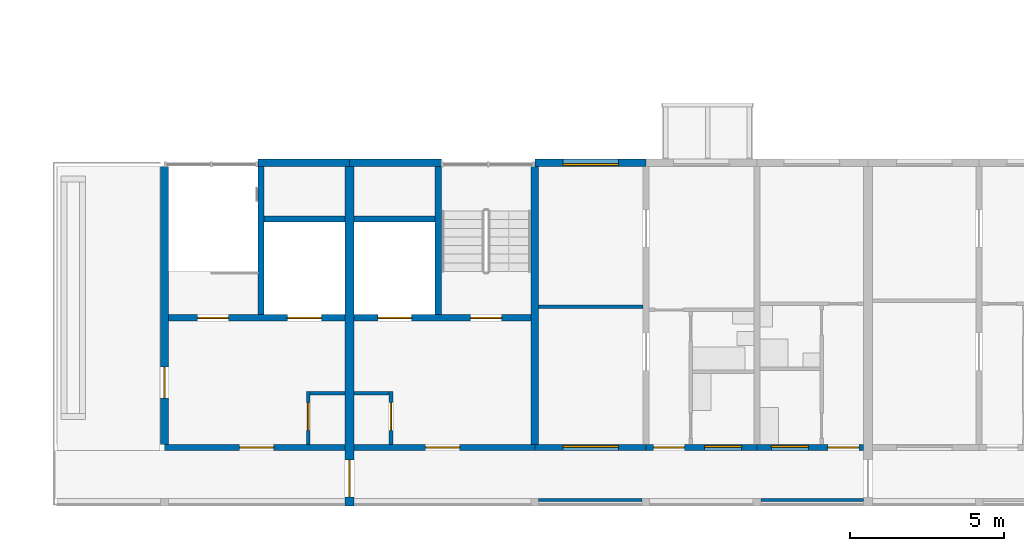
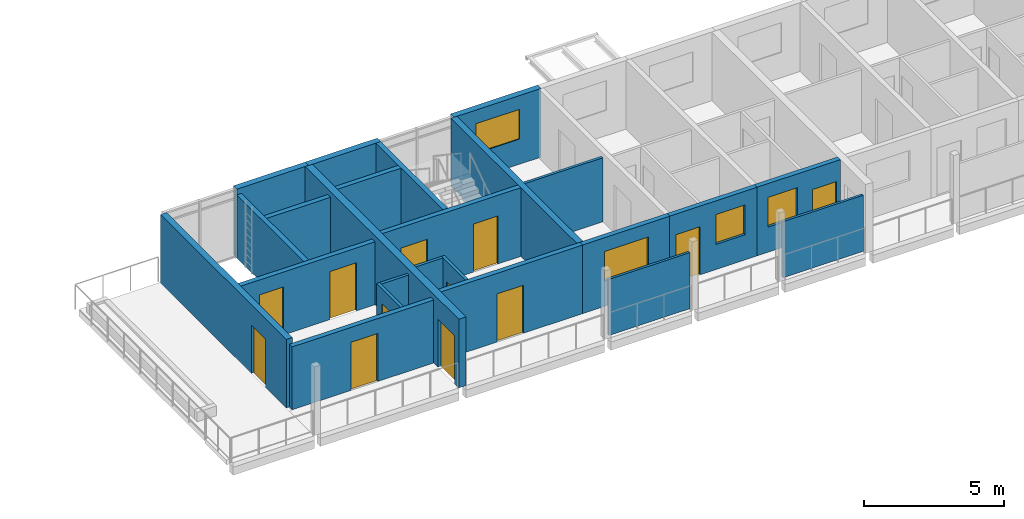
# One storey, part 32 of 64: 24 walls, 12 doors, 4 windows, 16 openings.
"""IFC4 building model written with IfcOpenShell, lengths in metres."""

from ifc_helpers import new_model, si_unit, direction, frame, frame_2d, origin, place, context, subcontext, project, spatial, rectangle, extrude, material, layer, layer_set, type_object, element, fill, save


model = new_model("IFC4")

# Units and contexts
model_context = context("Model", 3, precision=1e-05, world=origin(), true_north=direction((0.0, 1.0)))
body_context = subcontext(model_context, "Body", "Model", "MODEL_VIEW")
ifc_project = project(units=[si_unit("LENGTHUNIT", "METRE"), si_unit("AREAUNIT", "SQUARE_METRE"), si_unit("VOLUMEUNIT", "CUBIC_METRE"), si_unit("PLANEANGLEUNIT", "RADIAN"), si_unit("MASSUNIT", "GRAM", prefix="KILO")], contexts=[model_context])

# Site, building, storey
site_placement = place(None, origin())
site = spatial("IfcSite", under=ifc_project, at=site_placement, CompositionType="ELEMENT")
building_placement = place(site_placement, origin())
building = spatial("IfcBuilding", under=site, at=building_placement, Name="Ridgestep Commons", CompositionType="ELEMENT")
storey_placement = place(building_placement, frame((0.0, 0.0, 33.0)))
storey = spatial("IfcBuildingStorey", under=building, at=storey_placement, Name="L11", CompositionType="ELEMENT", Elevation=33.0)

# Wall
ifc_material_1 = material(Name="Concrete C30/37", Category="concrete")
ifc_layer_1 = layer(ifc_material_1, 0.25)
ifc_layer_set_1 = layer_set([ifc_layer_1], Name="Core cross wall 250")
wall_type_1 = type_object("IfcWallType", Name="Core cross wall 250", PredefinedType="SHEAR", material=ifc_layer_set_1)
wall_1_placement = place(storey_placement, frame((169.60009765625, 13.75, 0.0), z_axis=(0.0, 0.0, 1.0), x_axis=(0.0, 1.0, 0.0)))
element("IfcWall", 1, at=wall_1_placement, inside=storey, type_object=wall_type_1, Name="Cross wall D-11-1696", PredefinedType="SHEAR", context=body_context, shape_type="SweptSolid", body=[
    extrude(rectangle(XDim=9.0, YDim=0.25, at=frame_2d((4.5, 0.0))), origin(), (0.0, 0.0, 1.0), 3.0),
])

# Wall, opening, door
ifc_material_2 = material(Name="Concrete C30/37", Category="concrete")
ifc_layer_2 = layer(ifc_material_2, 0.199951171875)
ifc_layer_set_2 = layer_set([ifc_layer_2], Name="Core south wall 200")
wall_type_2 = type_object("IfcWallType", Name="Core south wall 200", PredefinedType="SHEAR", material=ifc_layer_set_2)
wall_2_placement = place(storey_placement, frame((157.60009765625, 13.64990234375, 0.0), z_axis=(0.0, 0.0, 1.0), x_axis=(1.0, 0.0, 0.0)))
wall_2 = element("IfcWall", 2, at=wall_2_placement, inside=storey, type_object=wall_type_2, Name="Core south wall D1C L11", PredefinedType="SHEAR", context=body_context, shape_type="SweptSolid", body=[
    extrude(rectangle(XDim=5.849853515625, YDim=0.199951171875, at=frame_2d((2.9248046875, 0.0))), origin(), (0.0, 0.0, 1.0), 2.75),
])
opening_1_placement = place(wall_2_placement, frame((2.4375, 0.0, 0.0)))
opening_1 = element("IfcOpeningElement", 3, at=opening_1_placement, cuts=wall_2, Name="Opening D1C/11/1", PredefinedType="OPENING", context=body_context, shape_type="SweptSolid", body=[
    extrude(rectangle(XDim=1.10009765625, YDim=2.10009765625, at=frame_2d((0.550048828125, 1.050048828125))), frame((0.0, 0.10986328125, 0.0), z_axis=(0.0, -1.0, 0.0), x_axis=(1.0, 0.0, 0.0)), (0.0, 0.0, 1.0), 0.219970703125),
])
ifc_material_3 = material(Name="Steel fire door", Category="steel")
door_type_1 = type_object("IfcDoorType", Name="Lobby door 1100 x 2100 FD60", OperationType="NOTDEFINED", PredefinedType="DOOR", material=ifc_material_3)
door_1_placement = place(opening_1_placement, origin())
door_1 = element("IfcDoor", 4, at=door_1_placement, inside=storey, type_object=door_type_1, Name="Lobby door D1C/11/1", OperationType="SINGLE_SWING_LEFT", OverallHeight=2.10009765625, OverallWidth=1.10009765625, PredefinedType="DOOR", context=body_context, shape_type="SweptSolid", body=[
    extrude(rectangle(XDim=1.10009765625, YDim=2.10009765625, at=frame_2d((0.550048828125, 1.050048828125))), frame((0.0, 0.02490234375, 0.0), z_axis=(0.0, -1.0, 0.0), x_axis=(1.0, 0.0, 0.0)), (0.0, 0.0, 1.0), 0.050048828125),
])
fill(opening_1, door_1)

wall_3_placement = place(storey_placement, frame((163.75, 13.64990234375, 0.0), z_axis=(0.0, 0.0, 1.0), x_axis=(1.0, 0.0, 0.0)))
wall_3 = element("IfcWall", 5, at=wall_3_placement, inside=storey, type_object=wall_type_2, Name="Core south wall D2C L11", PredefinedType="SHEAR", context=body_context, shape_type="SweptSolid", body=[
    extrude(rectangle(XDim=5.85009765625, YDim=0.199951171875, at=frame_2d((2.925048828125, 0.0))), origin(), (0.0, 0.0, 1.0), 3.0),
])
opening_2_placement = place(wall_3_placement, frame((2.3125, 0.0, 0.0)))
opening_2 = element("IfcOpeningElement", 6, at=opening_2_placement, cuts=wall_3, Name="Opening D2C/11/1", PredefinedType="OPENING", context=body_context, shape_type="SweptSolid", body=[
    extrude(rectangle(XDim=1.10009765625, YDim=2.10009765625, at=frame_2d((0.550048828125, 1.050048828125))), frame((0.0, 0.10986328125, 0.0), z_axis=(0.0, -1.0, 0.0), x_axis=(1.0, 0.0, 0.0)), (0.0, 0.0, 1.0), 0.219970703125),
])
door_2_placement = place(opening_2_placement, origin())
door_2 = element("IfcDoor", 7, at=door_2_placement, inside=storey, type_object=door_type_1, Name="Lobby door D2C/11/1", OperationType="SINGLE_SWING_LEFT", OverallHeight=2.10009765625, OverallWidth=1.10009765625, PredefinedType="DOOR", context=body_context, shape_type="SweptSolid", body=[
    extrude(rectangle(XDim=1.10009765625, YDim=2.10009765625, at=frame_2d((0.550048828125, 1.050048828125))), frame((0.0, 0.02490234375, 0.0), z_axis=(0.0, -1.0, 0.0), x_axis=(1.0, 0.0, 0.0)), (0.0, 0.0, 1.0), 0.050048828125),
])
fill(opening_2, door_2)

ifc_material_4 = material(Name="Concrete C30/37", Category="concrete")
ifc_layer_3 = layer(ifc_material_4, 0.1201171875)
ifc_layer_set_3 = layer_set([ifc_layer_3], Name="Core wall 120")
wall_type_3 = type_object("IfcWallType", Name="Core wall 120", PredefinedType="SHEAR", material=ifc_layer_set_3)
wall_4_placement = place(storey_placement, frame((162.260009765625, 13.75, 0.0), z_axis=(0.0, 0.0, 1.0), x_axis=(0.0, 1.0, 0.0)))
wall_4 = element("IfcWall", 8, at=wall_4_placement, inside=storey, type_object=wall_type_3, Name="Core riser w wall D1C L11", PredefinedType="SHEAR", context=body_context, shape_type="SweptSolid", body=[
    extrude(rectangle(XDim=1.719970703125, YDim=0.1201171875, at=frame_2d((0.85986328125, 0.0))), origin(), (0.0, 0.0, 1.0), 2.75),
])
opening_3_placement = place(wall_4_placement, frame((0.449951171875, 0.0, 0.0)))
opening_3 = element("IfcOpeningElement", 9, at=opening_3_placement, cuts=wall_4, Name="Opening D1C/11/4", PredefinedType="OPENING", context=body_context, shape_type="SweptSolid", body=[
    extrude(rectangle(XDim=0.89990234375, YDim=2.10009765625, at=frame_2d((0.449951171875, 1.050048828125))), frame((0.0, 0.070068359375, 0.0), z_axis=(0.0, -1.0, 0.0), x_axis=(1.0, 0.0, 0.0)), (0.0, 0.0, 1.0), 0.14013671875),
])
ifc_material_5 = material(Name="Steel fire door", Category="steel")
door_type_2 = type_object("IfcDoorType", Name="Riser door 900 x 2100 FD60", OperationType="NOTDEFINED", PredefinedType="DOOR", material=ifc_material_5)
door_3_placement = place(opening_3_placement, origin())
door_3 = element("IfcDoor", 10, at=door_3_placement, inside=storey, type_object=door_type_2, Name="Riser door D1C/11/4", OperationType="SINGLE_SWING_LEFT", OverallHeight=2.10009765625, OverallWidth=0.89990234375, PredefinedType="DOOR", context=body_context, shape_type="SweptSolid", body=[
    extrude(rectangle(XDim=0.89990234375, YDim=2.10009765625, at=frame_2d((0.449951171875, 1.050048828125))), frame((0.0, 0.02490234375, 0.0), z_axis=(0.0, -1.0, 0.0), x_axis=(1.0, 0.0, 0.0)), (0.0, 0.0, 1.0), 0.050048828125),
])
fill(opening_3, door_3)

# Wall
wall_5_placement = place(storey_placement, frame((162.320068359375, 15.409912109375, 0.0), z_axis=(0.0, 0.0, 1.0), x_axis=(1.0, 0.0, 0.0)))
element("IfcWall", 11, at=wall_5_placement, inside=storey, type_object=wall_type_3, Name="Core riser n wall D1C L11", PredefinedType="SHEAR", context=body_context, shape_type="SweptSolid", body=[
    extrude(rectangle(XDim=1.1298828125, YDim=0.1201171875, at=frame_2d((0.56494140625, 0.0))), origin(), (0.0, 0.0, 1.0), 2.75),
])

# Wall, opening, door
wall_6_placement = place(storey_placement, frame((164.93994140625, 13.75, 0.0), z_axis=(0.0, 0.0, 1.0), x_axis=(0.0, 1.0, 0.0)))
wall_6 = element("IfcWall", 12, at=wall_6_placement, inside=storey, type_object=wall_type_3, Name="Core riser w wall D2C L11", PredefinedType="SHEAR", context=body_context, shape_type="SweptSolid", body=[
    extrude(rectangle(XDim=1.719970703125, YDim=0.1201171875, at=frame_2d((0.85986328125, 0.0))), origin(), (0.0, 0.0, 1.0), 3.0),
])
opening_4_placement = place(wall_6_placement, frame((0.449951171875, 0.0, 0.0)))
opening_4 = element("IfcOpeningElement", 13, at=opening_4_placement, cuts=wall_6, Name="Opening D2C/11/4", PredefinedType="OPENING", context=body_context, shape_type="SweptSolid", body=[
    extrude(rectangle(XDim=0.89990234375, YDim=2.10009765625, at=frame_2d((0.449951171875, 1.050048828125))), frame((0.0, 0.070068359375, 0.0), z_axis=(0.0, -1.0, 0.0), x_axis=(1.0, 0.0, 0.0)), (0.0, 0.0, 1.0), 0.14013671875),
])
door_4_placement = place(opening_4_placement, origin())
door_4 = element("IfcDoor", 14, at=door_4_placement, inside=storey, type_object=door_type_2, Name="Riser door D2C/11/4", OperationType="SINGLE_SWING_RIGHT", OverallHeight=2.10009765625, OverallWidth=0.89990234375, PredefinedType="DOOR", context=body_context, shape_type="SweptSolid", body=[
    extrude(rectangle(XDim=0.89990234375, YDim=2.10009765625, at=frame_2d((0.449951171875, 1.050048828125))), frame((0.0, 0.02490234375, 0.0), z_axis=(0.0, -1.0, 0.0), x_axis=(1.0, 0.0, 0.0)), (0.0, 0.0, 1.0), 0.050048828125),
])
fill(opening_4, door_4)

# Wall
wall_7_placement = place(storey_placement, frame((163.75, 15.409912109375, 0.0), z_axis=(0.0, 0.0, 1.0), x_axis=(1.0, 0.0, 0.0)))
element("IfcWall", 15, at=wall_7_placement, inside=storey, type_object=wall_type_3, Name="Core riser n wall D2C L11", PredefinedType="SHEAR", context=body_context, shape_type="SweptSolid", body=[
    extrude(rectangle(XDim=1.1298828125, YDim=0.1201171875, at=frame_2d((0.56494140625, 0.0))), origin(), (0.0, 0.0, 1.0), 3.0),
])

# Wall, openings, doors
ifc_material_6 = material(Name="Concrete C30/37", Category="concrete")
ifc_layer_4 = layer(ifc_material_6, 0.199951171875)
ifc_layer_set_4 = layer_set([ifc_layer_4], Name="Core wall 200")
wall_type_4 = type_object("IfcWallType", Name="Core wall 200", PredefinedType="SHEAR", material=ifc_layer_set_4)
wall_8_placement = place(storey_placement, frame((157.72509765625, 17.85009765625, 0.0), z_axis=(0.0, 0.0, 1.0), x_axis=(1.0, 0.0, 0.0)))
wall_8 = element("IfcWall", 16, at=wall_8_placement, inside=storey, type_object=wall_type_4, Name="Core lobby wall D1C L11", PredefinedType="SHEAR", context=body_context, shape_type="SweptSolid", body=[
    extrude(rectangle(XDim=5.724853515625, YDim=0.199951171875, at=frame_2d((2.8623046875, 0.0))), origin(), (0.0, 0.0, 1.0), 2.75),
])
opening_5_placement = place(wall_8_placement, frame((0.949951171875, 0.0, 0.0)))
opening_5 = element("IfcOpeningElement", 17, at=opening_5_placement, cuts=wall_8, Name="Opening D1C/11/2", PredefinedType="OPENING", context=body_context, shape_type="SweptSolid", body=[
    extrude(rectangle(XDim=1.0, YDim=2.10009765625, at=frame_2d((0.5, 1.050048828125))), frame((0.0, 0.10986328125, 0.0), z_axis=(0.0, -1.0, 0.0), x_axis=(1.0, 0.0, 0.0)), (0.0, 0.0, 1.0), 0.219970703125),
])
opening_6_placement = place(wall_8_placement, frame((3.862548828125, 0.0, 0.0)))
opening_6 = element("IfcOpeningElement", 18, at=opening_6_placement, cuts=wall_8, Name="Opening D1C/11/3", PredefinedType="OPENING", context=body_context, shape_type="SweptSolid", body=[
    extrude(rectangle(XDim=1.10009765625, YDim=2.10009765625, at=frame_2d((0.550048828125, 1.050048828125))), frame((0.0, 0.10986328125, 0.0), z_axis=(0.0, -1.0, 0.0), x_axis=(1.0, 0.0, 0.0)), (0.0, 0.0, 1.0), 0.219970703125),
])
ifc_material_7 = material(Name="Stainless steel", Category="steel")
door_type_3 = type_object("IfcDoorType", Name="Lift landing door 1100 x 2100 FD60", OperationType="DOUBLE_DOOR_SLIDING", PredefinedType="DOOR", material=ifc_material_7)
door_5_placement = place(opening_6_placement, origin())
door_5 = element("IfcDoor", 19, at=door_5_placement, inside=storey, type_object=door_type_3, Name="Landing door LD D1C L11", OperationType="DOUBLE_DOOR_SLIDING", OverallHeight=2.10009765625, OverallWidth=1.10009765625, PredefinedType="DOOR", context=body_context, shape_type="SweptSolid", body=[
    extrude(rectangle(XDim=1.10009765625, YDim=2.10009765625, at=frame_2d((0.550048828125, 1.050048828125))), frame((0.0, 0.02490234375, 0.0), z_axis=(0.0, -1.0, 0.0), x_axis=(1.0, 0.0, 0.0)), (0.0, 0.0, 1.0), 0.050048828125),
])
fill(opening_6, door_5)
ifc_material_8 = material(Name="Steel fire door", Category="steel")
door_type_4 = type_object("IfcDoorType", Name="Stair door 1000 x 2100 FD60", OperationType="NOTDEFINED", PredefinedType="DOOR", material=ifc_material_8)
door_6_placement = place(opening_5_placement, origin())
door_6 = element("IfcDoor", 20, at=door_6_placement, inside=storey, type_object=door_type_4, Name="Stair door D1C/11/2", OperationType="SINGLE_SWING_RIGHT", OverallHeight=2.10009765625, OverallWidth=1.0, PredefinedType="DOOR", context=body_context, shape_type="SweptSolid", body=[
    extrude(rectangle(XDim=1.0, YDim=2.10009765625, at=frame_2d((0.5, 1.050048828125))), frame((0.0, 0.02490234375, 0.0), z_axis=(0.0, -1.0, 0.0), x_axis=(1.0, 0.0, 0.0)), (0.0, 0.0, 1.0), 0.050048828125),
])
fill(opening_5, door_6)

# Walls
wall_9_placement = place(storey_placement, frame((160.72509765625, 17.949951171875, 0.0), z_axis=(0.0, 0.0, 1.0), x_axis=(0.0, 1.0, 0.0)))
element("IfcWall", 21, at=wall_9_placement, inside=storey, type_object=wall_type_4, Name="Core stair wall D1C L11", PredefinedType="SHEAR", context=body_context, shape_type="SweptSolid", body=[
    extrude(rectangle(XDim=4.800048828125, YDim=0.199951171875, at=frame_2d((2.39990234375, 0.0))), origin(), (0.0, 0.0, 1.0), 2.75),
])
wall_10_placement = place(storey_placement, frame((160.824951171875, 21.050048828125, 0.0), z_axis=(0.0, 0.0, 1.0), x_axis=(1.0, 0.0, 0.0)))
element("IfcWall", 22, at=wall_10_placement, inside=storey, type_object=wall_type_4, Name="Core duct wall D1C L11", PredefinedType="SHEAR", context=body_context, shape_type="SweptSolid", body=[
    extrude(rectangle(XDim=2.625, YDim=0.199951171875, at=frame_2d((1.3125, 0.0))), origin(), (0.0, 0.0, 1.0), 2.75),
])

# Wall, openings, doors
wall_11_placement = place(storey_placement, frame((163.75, 17.85009765625, 0.0), z_axis=(0.0, 0.0, 1.0), x_axis=(1.0, 0.0, 0.0)))
wall_11 = element("IfcWall", 23, at=wall_11_placement, inside=storey, type_object=wall_type_4, Name="Core lobby wall D2C L11", PredefinedType="SHEAR", context=body_context, shape_type="SweptSolid", body=[
    extrude(rectangle(XDim=5.72509765625, YDim=0.199951171875, at=frame_2d((2.862548828125, 0.0))), origin(), (0.0, 0.0, 1.0), 3.0),
])
opening_7_placement = place(wall_11_placement, frame((3.77490234375, 0.0, 0.0)))
opening_7 = element("IfcOpeningElement", 24, at=opening_7_placement, cuts=wall_11, Name="Opening D2C/11/2", PredefinedType="OPENING", context=body_context, shape_type="SweptSolid", body=[
    extrude(rectangle(XDim=1.0, YDim=2.10009765625, at=frame_2d((0.5, 1.050048828125))), frame((0.0, 0.10986328125, 0.0), z_axis=(0.0, -1.0, 0.0), x_axis=(1.0, 0.0, 0.0)), (0.0, 0.0, 1.0), 0.219970703125),
])
opening_8_placement = place(wall_11_placement, frame((0.762451171875, 0.0, 0.0)))
opening_8 = element("IfcOpeningElement", 25, at=opening_8_placement, cuts=wall_11, Name="Opening D2C/11/3", PredefinedType="OPENING", context=body_context, shape_type="SweptSolid", body=[
    extrude(rectangle(XDim=1.10009765625, YDim=2.10009765625, at=frame_2d((0.550048828125, 1.050048828125))), frame((0.0, 0.10986328125, 0.0), z_axis=(0.0, -1.0, 0.0), x_axis=(1.0, 0.0, 0.0)), (0.0, 0.0, 1.0), 0.219970703125),
])
door_7_placement = place(opening_8_placement, origin())
door_7 = element("IfcDoor", 26, at=door_7_placement, inside=storey, type_object=door_type_3, Name="Landing door LD D2C L11", OperationType="DOUBLE_DOOR_SLIDING", OverallHeight=2.10009765625, OverallWidth=1.10009765625, PredefinedType="DOOR", context=body_context, shape_type="SweptSolid", body=[
    extrude(rectangle(XDim=1.10009765625, YDim=2.10009765625, at=frame_2d((0.550048828125, 1.050048828125))), frame((0.0, 0.02490234375, 0.0), z_axis=(0.0, -1.0, 0.0), x_axis=(1.0, 0.0, 0.0)), (0.0, 0.0, 1.0), 0.050048828125),
])
fill(opening_8, door_7)
door_8_placement = place(opening_7_placement, origin())
door_8 = element("IfcDoor", 27, at=door_8_placement, inside=storey, type_object=door_type_4, Name="Stair door D2C/11/2", OperationType="SINGLE_SWING_RIGHT", OverallHeight=2.10009765625, OverallWidth=1.0, PredefinedType="DOOR", context=body_context, shape_type="SweptSolid", body=[
    extrude(rectangle(XDim=1.0, YDim=2.10009765625, at=frame_2d((0.5, 1.050048828125))), frame((0.0, 0.02490234375, 0.0), z_axis=(0.0, -1.0, 0.0), x_axis=(1.0, 0.0, 0.0)), (0.0, 0.0, 1.0), 0.050048828125),
])
fill(opening_7, door_8)

# Walls
wall_12_placement = place(storey_placement, frame((166.47509765625, 17.949951171875, 0.0), z_axis=(0.0, 0.0, 1.0), x_axis=(0.0, 1.0, 0.0)))
element("IfcWall", 28, at=wall_12_placement, inside=storey, type_object=wall_type_4, Name="Core stair wall D2C L11", PredefinedType="SHEAR", context=body_context, shape_type="SweptSolid", body=[
    extrude(rectangle(XDim=4.800048828125, YDim=0.199951171875, at=frame_2d((2.39990234375, 0.0))), origin(), (0.0, 0.0, 1.0), 3.0),
])
wall_13_placement = place(storey_placement, frame((163.75, 21.050048828125, 0.0), z_axis=(0.0, 0.0, 1.0), x_axis=(1.0, 0.0, 0.0)))
element("IfcWall", 29, at=wall_13_placement, inside=storey, type_object=wall_type_4, Name="Core duct wall D2C L11", PredefinedType="SHEAR", context=body_context, shape_type="SweptSolid", body=[
    extrude(rectangle(XDim=2.625, YDim=0.199951171875, at=frame_2d((1.3125, 0.0))), origin(), (0.0, 0.0, 1.0), 3.0),
])

# Wall, opening, door
ifc_material_9 = material(Name="Precast concrete C40/50", Category="concrete")
ifc_layer_5 = layer(ifc_material_9, 0.300048828125)
ifc_layer_set_5 = layer_set([ifc_layer_5], Name="Division wall 300")
wall_type_5 = type_object("IfcWallType", Name="Division wall 300", PredefinedType="SHEAR", material=ifc_layer_set_5)
wall_14_placement = place(storey_placement, frame((163.60009765625, 11.75, 0.0), z_axis=(0.0, 0.0, 1.0), x_axis=(0.0, 1.0, 0.0)))
wall_14 = element("IfcWall", 30, at=wall_14_placement, inside=storey, type_object=wall_type_5, Name="Cross wall D-11-1636", PredefinedType="SHEAR", context=body_context, shape_type="SweptSolid", body=[
    extrude(rectangle(XDim=11.0, YDim=0.300048828125, at=frame_2d((5.5, 0.0))), origin(), (0.0, 0.0, 1.0), 3.0),
])
opening_9_placement = place(wall_14_placement, frame((0.300048828125, 0.0, 0.0)))
opening_9 = element("IfcOpeningElement", 31, at=opening_9_placement, cuts=wall_14, Name="Opening D/11/G1636", PredefinedType="OPENING", context=body_context, shape_type="SweptSolid", body=[
    extrude(rectangle(XDim=1.199951171875, YDim=2.10009765625, at=frame_2d((0.60009765625, 1.050048828125))), frame((0.0, 0.159912109375, 0.0), z_axis=(0.0, -1.0, 0.0), x_axis=(1.0, 0.0, 0.0)), (0.0, 0.0, 1.0), 0.320068359375),
])
ifc_material_10 = material(Name="Steel fire door", Category="steel")
door_type_5 = type_object("IfcDoorType", Name="Division fire door 1200 x 2100 EI 240", OperationType="DOUBLE_DOOR_SINGLE_SWING", PredefinedType="DOOR", material=ifc_material_10)
door_9_placement = place(opening_9_placement, origin())
door_9 = element("IfcDoor", 32, at=door_9_placement, inside=storey, type_object=door_type_5, Name="Division fire door D/11/G1636", OperationType="DOUBLE_DOOR_SINGLE_SWING", OverallHeight=2.10009765625, OverallWidth=1.199951171875, PredefinedType="DOOR", context=body_context, shape_type="SweptSolid", body=[
    extrude(rectangle(XDim=1.199951171875, YDim=2.10009765625, at=frame_2d((0.60009765625, 1.050048828125))), frame((0.0, 0.02490234375, 0.0), z_axis=(0.0, -1.0, 0.0), x_axis=(1.0, 0.0, 0.0)), (0.0, 0.0, 1.0), 0.050048828125),
])
fill(opening_9, door_9)

ifc_material_11 = material(Name="Concrete C30/37", Category="concrete")
ifc_layer_6 = layer(ifc_material_11, 0.25)
ifc_layer_set_6 = layer_set([ifc_layer_6], Name="Exposed core cross wall 250")
wall_type_6 = type_object("IfcWallType", Name="Exposed core cross wall 250", PredefinedType="SHEAR", material=ifc_layer_set_6)
wall_15_placement = place(storey_placement, frame((157.60009765625, 13.75, 0.0), z_axis=(0.0, 0.0, 1.0), x_axis=(0.0, 1.0, 0.0)))
wall_15 = element("IfcWall", 33, at=wall_15_placement, inside=storey, type_object=wall_type_6, Name="Cross wall D-11-1576", PredefinedType="SHEAR", context=body_context, shape_type="SweptSolid", body=[
    extrude(rectangle(XDim=9.0, YDim=0.25, at=frame_2d((4.5, 0.0))), origin(), (0.0, 0.0, 1.0), 3.0),
])
opening_10_placement = place(wall_15_placement, frame((1.5, 0.0, 0.0)))
opening_10 = element("IfcOpeningElement", 34, at=opening_10_placement, cuts=wall_15, Name="Opening D1C/11/T", PredefinedType="OPENING", context=body_context, shape_type="SweptSolid", body=[
    extrude(rectangle(XDim=1.0, YDim=2.10009765625, at=frame_2d((0.5, 1.050048828125))), frame((0.0, 0.135009765625, 0.0), z_axis=(0.0, -1.0, 0.0), x_axis=(1.0, 0.0, 0.0)), (0.0, 0.0, 1.0), 0.27001953125),
])
ifc_material_12 = material(Name="Aluminium and glass", Category="aluminium")
door_type_6 = type_object("IfcDoorType", Name="Terrace door 1000 x 2100 FD60", OperationType="NOTDEFINED", PredefinedType="DOOR", material=ifc_material_12)
door_10_placement = place(opening_10_placement, origin())
door_10 = element("IfcDoor", 35, at=door_10_placement, inside=storey, type_object=door_type_6, Name="Terrace door D1C/11/T", OperationType="SINGLE_SWING_LEFT", OverallHeight=2.10009765625, OverallWidth=1.0, PredefinedType="DOOR", context=body_context, shape_type="SweptSolid", body=[
    extrude(rectangle(XDim=1.0, YDim=2.10009765625, at=frame_2d((0.5, 1.050048828125))), frame((0.0, 0.02490234375, 0.0), z_axis=(0.0, -1.0, 0.0), x_axis=(1.0, 0.0, 0.0)), (0.0, 0.0, 1.0), 0.050048828125),
])
fill(opening_10, door_10)

# Walls
ifc_material_13 = material(Name="Precast concrete C40/50", Category="concrete")
ifc_layer_7 = layer(ifc_material_13, 0.25)
ifc_layer_set_7 = layer_set([ifc_layer_7], Name="North facade panel 250")
wall_type_7 = type_object("IfcWallType", Name="North facade panel 250", PredefinedType="SOLIDWALL", material=ifc_layer_set_7)
wall_16_placement = place(storey_placement, frame((160.625, 22.875, 0.0), z_axis=(0.0, 0.0, 1.0), x_axis=(1.0, 0.0, 0.0)))
element("IfcWall", 36, at=wall_16_placement, inside=storey, type_object=wall_type_7, Name="North panel D1C L11", PredefinedType="SOLIDWALL", context=body_context, shape_type="SweptSolid", body=[
    extrude(rectangle(XDim=2.97509765625, YDim=0.25, at=frame_2d((1.487548828125, 0.0))), origin(), (0.0, 0.0, 1.0), 3.0),
])
wall_17_placement = place(storey_placement, frame((163.60009765625, 22.875, 0.0), z_axis=(0.0, 0.0, 1.0), x_axis=(1.0, 0.0, 0.0)))
element("IfcWall", 37, at=wall_17_placement, inside=storey, type_object=wall_type_7, Name="North panel D2C L11", PredefinedType="SOLIDWALL", context=body_context, shape_type="SweptSolid", body=[
    extrude(rectangle(XDim=2.974853515625, YDim=0.25, at=frame_2d((1.4873046875, 0.0))), origin(), (0.0, 0.0, 1.0), 3.0),
])

# Wall, opening, window
wall_18_placement = place(storey_placement, frame((169.60009765625, 22.875, 0.0), z_axis=(0.0, 0.0, 1.0), x_axis=(1.0, 0.0, 0.0)))
wall_18 = element("IfcWall", 38, at=wall_18_placement, inside=storey, type_object=wall_type_7, Name="North panel D2T3 L11", PredefinedType="SOLIDWALL", context=body_context, shape_type="SweptSolid", body=[
    extrude(rectangle(XDim=3.599853515625, YDim=0.25, at=frame_2d((1.7998046875, 0.0))), origin(), (0.0, 0.0, 1.0), 3.0),
])
opening_11_placement = place(wall_18_placement, frame((0.91259765625, 0.0, 1.10009765625)))
opening_11 = element("IfcOpeningElement", 39, at=opening_11_placement, cuts=wall_18, Name="Opening W18", PredefinedType="OPENING", context=body_context, shape_type="SweptSolid", body=[
    extrude(rectangle(XDim=1.800048828125, YDim=1.300048828125, at=frame_2d((0.89990234375, 0.64990234375))), frame((0.0, 0.135009765625, 0.0), z_axis=(0.0, -1.0, 0.0), x_axis=(1.0, 0.0, 0.0)), (0.0, 0.0, 1.0), 0.27001953125),
])
ifc_material_14 = material(Name="Aluminium 6063-T6 and glass", Category="aluminium")
window_type_1 = type_object("IfcWindowType", Name="Flat window 1800 x 1300", PartitioningType="DOUBLE_PANEL_VERTICAL", PredefinedType="WINDOW", material=ifc_material_14)
window_1_placement = place(opening_11_placement, origin())
window_1 = element("IfcWindow", 40, at=window_1_placement, inside=storey, type_object=window_type_1, Name="Window D2-11b 2", OverallHeight=1.300048828125, OverallWidth=1.800048828125, PartitioningType="SINGLE_PANEL", PredefinedType="WINDOW", context=body_context, shape_type="SweptSolid", body=[
    extrude(rectangle(XDim=1.800048828125, YDim=1.300048828125, at=frame_2d((0.89990234375, 0.64990234375))), frame((0.0, -0.02490234375, 0.0), z_axis=(0.0, -1.0, 0.0), x_axis=(1.0, 0.0, 0.0)), (0.0, 0.0, 1.0), 0.06005859375),
])
fill(opening_11, window_1)

# Walls
ifc_material_15 = material(Name="Common brick 110 mm", Category="masonry")
ifc_layer_8 = layer(ifc_material_15, 0.110107421875)
ifc_layer_set_8 = layer_set([ifc_layer_8], Name="Partition 110")
wall_type_8 = type_object("IfcWallType", Name="Partition 110", PredefinedType="PARTITIONING", material=ifc_layer_set_8)
wall_19_placement = place(storey_placement, frame((169.72509765625, 18.205078125, 0.0), z_axis=(0.0, 0.0, 1.0), x_axis=(1.0, 0.0, 0.0)))
element("IfcWall", 41, at=wall_19_placement, inside=storey, type_object=wall_type_8, Name="Partition D2-11b", PredefinedType="PARTITIONING", context=body_context, shape_type="SweptSolid", body=[
    extrude(rectangle(XDim=3.375, YDim=0.110107421875, at=frame_2d((1.6875, 0.0))), origin(), (0.0, 0.0, 1.0), 2.800048828125),
])
ifc_material_16 = material(Name="Precast concrete C30/37", Category="concrete")
ifc_layer_9 = layer(ifc_material_16, 0.10009765625)
ifc_layer_set_9 = layer_set([ifc_layer_9], Name="Perforated gallery screen 3325 x 2450 x 100")
wall_type_9 = type_object("IfcWallType", Name="Perforated gallery screen 3325 x 2450 x 100", PredefinedType="SOLIDWALL", material=ifc_layer_set_9)
wall_20_placement = place(storey_placement, frame((176.925048828125, 11.949951171875, 0.0), z_axis=(0.0, 0.0, 1.0), x_axis=(1.0, 0.0, 0.0)))
element("IfcWall", 42, at=wall_20_placement, inside=storey, type_object=wall_type_9, Name="Gallery screen D2T1 11", PredefinedType="SOLIDWALL", context=body_context, shape_type="SweptSolid", body=[
    extrude(rectangle(XDim=3.324951171875, YDim=0.10009765625, at=frame_2d((1.66259765625, 0.0))), origin(), (0.0, 0.0, 1.0), 2.449951171875),
])
ifc_material_17 = material(Name="Precast concrete C30/37", Category="concrete")
ifc_layer_10 = layer(ifc_material_17, 0.10009765625)
ifc_layer_set_10 = layer_set([ifc_layer_10], Name="Perforated gallery screen 3350 x 2450 x 100")
wall_type_10 = type_object("IfcWallType", Name="Perforated gallery screen 3350 x 2450 x 100", PredefinedType="SOLIDWALL", material=ifc_layer_set_10)
wall_21_placement = place(storey_placement, frame((169.72509765625, 11.949951171875, 0.0), z_axis=(0.0, 0.0, 1.0), x_axis=(1.0, 0.0, 0.0)))
element("IfcWall", 43, at=wall_21_placement, inside=storey, type_object=wall_type_10, Name="Gallery screen D2T3 11", PredefinedType="SOLIDWALL", context=body_context, shape_type="SweptSolid", body=[
    extrude(rectangle(XDim=3.349853515625, YDim=0.10009765625, at=frame_2d((1.6748046875, 0.0))), origin(), (0.0, 0.0, 1.0), 2.449951171875),
])

# Wall, opening, window
ifc_material_18 = material(Name="Precast concrete C40/50", Category="concrete")
ifc_layer_11 = layer(ifc_material_18, 0.199951171875)
ifc_layer_set_11 = layer_set([ifc_layer_11], Name="South facade panel 200")
wall_type_11 = type_object("IfcWallType", Name="South facade panel 200", PredefinedType="SOLIDWALL", material=ifc_layer_set_11)
wall_22_placement = place(storey_placement, frame((169.60009765625, 13.64990234375, 0.0), z_axis=(0.0, 0.0, 1.0), x_axis=(1.0, 0.0, 0.0)))
wall_22 = element("IfcWall", 44, at=wall_22_placement, inside=storey, type_object=wall_type_11, Name="South panel D2T3 L11", PredefinedType="SOLIDWALL", context=body_context, shape_type="SweptSolid", body=[
    extrude(rectangle(XDim=3.599853515625, YDim=0.199951171875, at=frame_2d((1.7998046875, 0.0))), origin(), (0.0, 0.0, 1.0), 3.0),
])
opening_12_placement = place(wall_22_placement, frame((0.91259765625, 0.0, 1.10009765625)))
opening_12 = element("IfcOpeningElement", 45, at=opening_12_placement, cuts=wall_22, Name="Opening W18", PredefinedType="OPENING", context=body_context, shape_type="SweptSolid", body=[
    extrude(rectangle(XDim=1.800048828125, YDim=1.300048828125, at=frame_2d((0.89990234375, 0.64990234375))), frame((0.0, 0.10986328125, 0.0), z_axis=(0.0, -1.0, 0.0), x_axis=(1.0, 0.0, 0.0)), (0.0, 0.0, 1.0), 0.219970703125),
])
window_2_placement = place(opening_12_placement, origin())
window_2 = element("IfcWindow", 46, at=window_2_placement, inside=storey, type_object=window_type_1, Name="Window D2-11b 1", OverallHeight=1.300048828125, OverallWidth=1.800048828125, PartitioningType="SINGLE_PANEL", PredefinedType="WINDOW", context=body_context, shape_type="SweptSolid", body=[
    extrude(rectangle(XDim=1.800048828125, YDim=1.300048828125, at=frame_2d((0.89990234375, 0.64990234375))), frame((0.0, 0.06005859375, 0.0), z_axis=(0.0, -1.0, 0.0), x_axis=(1.0, 0.0, 0.0)), (0.0, 0.0, 1.0), 0.06005859375),
])
fill(opening_12, window_2)

# Wall, openings, door, window
wall_23_placement = place(storey_placement, frame((173.199951171875, 13.64990234375, 0.0), z_axis=(0.0, 0.0, 1.0), x_axis=(1.0, 0.0, 0.0)))
wall_23 = element("IfcWall", 47, at=wall_23_placement, inside=storey, type_object=wall_type_11, Name="South panel D2T2 L11", PredefinedType="SOLIDWALL", context=body_context, shape_type="SweptSolid", body=[
    extrude(rectangle(XDim=3.60009765625, YDim=0.199951171875, at=frame_2d((1.800048828125, 0.0))), origin(), (0.0, 0.0, 1.0), 3.0),
])
opening_13_placement = place(wall_23_placement, frame((1.905029296875, 0.0, 1.10009765625)))
opening_13 = element("IfcOpeningElement", 48, at=opening_13_placement, cuts=wall_23, Name="Opening W08", PredefinedType="OPENING", context=body_context, shape_type="SweptSolid", body=[
    extrude(rectangle(XDim=1.199951171875, YDim=1.300048828125, at=frame_2d((0.60009765625, 0.64990234375))), frame((0.0, 0.10986328125, 0.0), z_axis=(0.0, -1.0, 0.0), x_axis=(1.0, 0.0, 0.0)), (0.0, 0.0, 1.0), 0.219970703125),
])
opening_14_placement = place(wall_23_placement, frame((0.25, 0.0, 0.0)))
opening_14 = element("IfcOpeningElement", 49, at=opening_14_placement, cuts=wall_23, Name="Opening D2-11b/1", PredefinedType="OPENING", context=body_context, shape_type="SweptSolid", body=[
    extrude(rectangle(XDim=1.0, YDim=2.10009765625, at=frame_2d((0.5, 1.050048828125))), frame((0.0, 0.10986328125, 0.0), z_axis=(0.0, -1.0, 0.0), x_axis=(1.0, 0.0, 0.0)), (0.0, 0.0, 1.0), 0.219970703125),
])
ifc_material_19 = material(Name="Timber door leaf", Category="wood")
door_type_7 = type_object("IfcDoorType", Name="Flat entrance door 1000 x 2100 FD30S", OperationType="NOTDEFINED", PredefinedType="DOOR", material=ifc_material_19)
door_11_placement = place(opening_14_placement, origin())
door_11 = element("IfcDoor", 50, at=door_11_placement, inside=storey, type_object=door_type_7, Name="Flat entrance door D2-11b/1", OperationType="SINGLE_SWING_LEFT", OverallHeight=2.10009765625, OverallWidth=1.0, PredefinedType="DOOR", context=body_context, shape_type="SweptSolid", body=[
    extrude(rectangle(XDim=1.0, YDim=2.10009765625, at=frame_2d((0.5, 1.050048828125))), frame((0.0, 0.02490234375, 0.0), z_axis=(0.0, -1.0, 0.0), x_axis=(1.0, 0.0, 0.0)), (0.0, 0.0, 1.0), 0.050048828125),
])
fill(opening_14, door_11)
ifc_material_20 = material(Name="Aluminium 6063-T6 and glass", Category="aluminium")
window_type_2 = type_object("IfcWindowType", Name="Flat window 1200 x 1300", PartitioningType="SINGLE_PANEL", PredefinedType="WINDOW", material=ifc_material_20)
window_3_placement = place(opening_13_placement, origin())
window_3 = element("IfcWindow", 51, at=window_3_placement, inside=storey, type_object=window_type_2, Name="Window D2-11b 3", OverallHeight=1.300048828125, OverallWidth=1.199951171875, PartitioningType="SINGLE_PANEL", PredefinedType="WINDOW", context=body_context, shape_type="SweptSolid", body=[
    extrude(rectangle(XDim=1.199951171875, YDim=1.300048828125, at=frame_2d((0.60009765625, 0.64990234375))), frame((0.0, 0.06005859375, 0.0), z_axis=(0.0, -1.0, 0.0), x_axis=(1.0, 0.0, 0.0)), (0.0, 0.0, 1.0), 0.06005859375),
])
fill(opening_13, window_3)

wall_24_placement = place(storey_placement, frame((176.800048828125, 13.64990234375, 0.0), z_axis=(0.0, 0.0, 1.0), x_axis=(1.0, 0.0, 0.0)))
wall_24 = element("IfcWall", 52, at=wall_24_placement, inside=storey, type_object=wall_type_11, Name="South panel D2T1 L11", PredefinedType="SOLIDWALL", context=body_context, shape_type="SweptSolid", body=[
    extrude(rectangle(XDim=3.449951171875, YDim=0.199951171875, at=frame_2d((1.72509765625, 0.0))), origin(), (0.0, 0.0, 1.0), 3.0),
])
opening_15_placement = place(wall_24_placement, frame((0.469970703125, 0.0, 1.10009765625)))
opening_15 = element("IfcOpeningElement", 53, at=opening_15_placement, cuts=wall_24, Name="Opening W08", PredefinedType="OPENING", context=body_context, shape_type="SweptSolid", body=[
    extrude(rectangle(XDim=1.199951171875, YDim=1.300048828125, at=frame_2d((0.60009765625, 0.64990234375))), frame((0.0, 0.10986328125, 0.0), z_axis=(0.0, -1.0, 0.0), x_axis=(1.0, 0.0, 0.0)), (0.0, 0.0, 1.0), 0.219970703125),
])
opening_16_placement = place(wall_24_placement, frame((2.300048828125, 0.0, 0.0)))
opening_16 = element("IfcOpeningElement", 54, at=opening_16_placement, cuts=wall_24, Name="Opening D2-11a/1", PredefinedType="OPENING", context=body_context, shape_type="SweptSolid", body=[
    extrude(rectangle(XDim=1.0, YDim=2.10009765625, at=frame_2d((0.5, 1.050048828125))), frame((0.0, 0.10986328125, 0.0), z_axis=(0.0, -1.0, 0.0), x_axis=(1.0, 0.0, 0.0)), (0.0, 0.0, 1.0), 0.219970703125),
])
door_12_placement = place(opening_16_placement, origin())
door_12 = element("IfcDoor", 55, at=door_12_placement, inside=storey, type_object=door_type_7, Name="Flat entrance door D2-11a/1", OperationType="SINGLE_SWING_RIGHT", OverallHeight=2.10009765625, OverallWidth=1.0, PredefinedType="DOOR", context=body_context, shape_type="SweptSolid", body=[
    extrude(rectangle(XDim=1.0, YDim=2.10009765625, at=frame_2d((0.5, 1.050048828125))), frame((0.0, 0.02490234375, 0.0), z_axis=(0.0, -1.0, 0.0), x_axis=(1.0, 0.0, 0.0)), (0.0, 0.0, 1.0), 0.050048828125),
])
fill(opening_16, door_12)
window_4_placement = place(opening_15_placement, origin())
window_4 = element("IfcWindow", 56, at=window_4_placement, inside=storey, type_object=window_type_2, Name="Window D2-11a 1", OverallHeight=1.300048828125, OverallWidth=1.199951171875, PartitioningType="SINGLE_PANEL", PredefinedType="WINDOW", context=body_context, shape_type="SweptSolid", body=[
    extrude(rectangle(XDim=1.199951171875, YDim=1.300048828125, at=frame_2d((0.60009765625, 0.64990234375))), frame((0.0, 0.06005859375, 0.0), z_axis=(0.0, -1.0, 0.0), x_axis=(1.0, 0.0, 0.0)), (0.0, 0.0, 1.0), 0.06005859375),
])
fill(opening_15, window_4)

save(model, "model.ifc")
